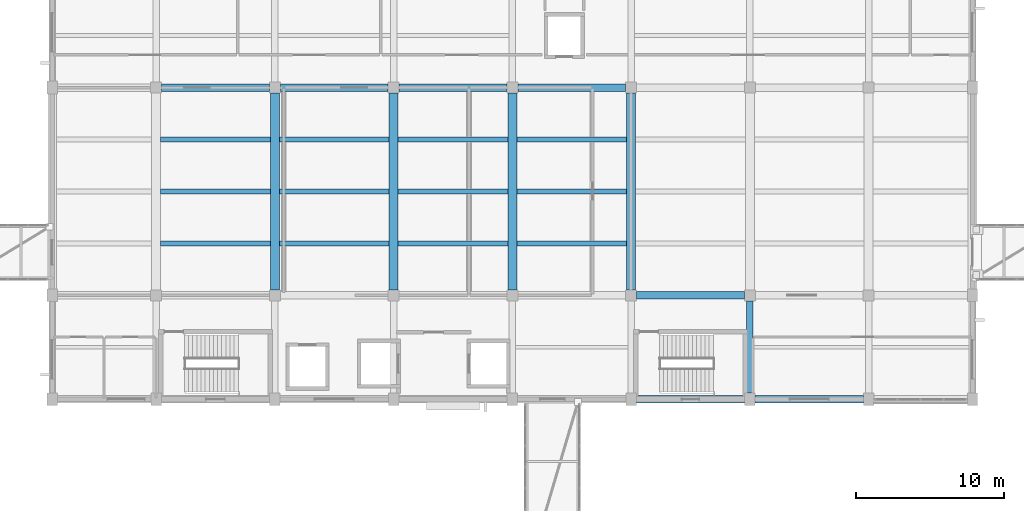
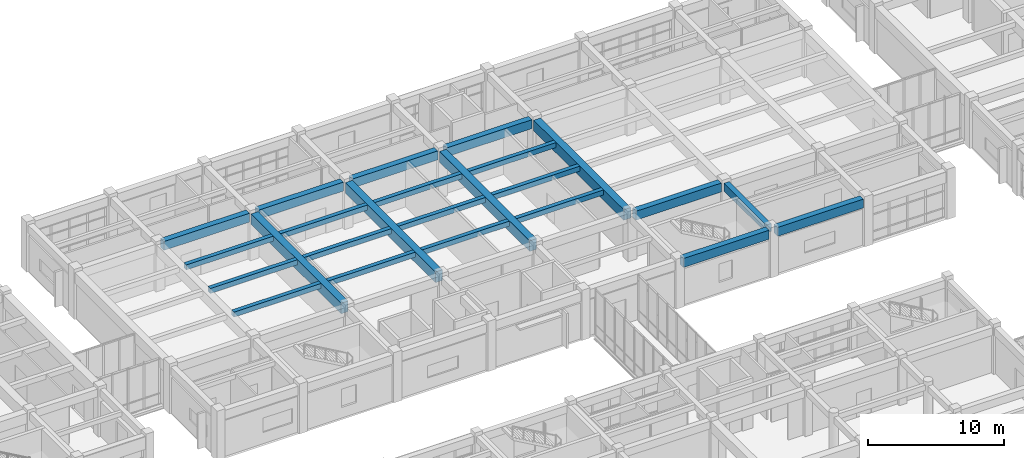
# One storey, part 25 of 70: 24 beams.
"""IFC4 building model written with IfcOpenShell, lengths in metres."""

from ifc_helpers import new_model, si_unit, direction, frame, origin, origin_2d, place, context, subcontext, project, spatial, rectangle, extrude, material, material_profile, profile_set, type_object, element, save


model = new_model("IFC4")

# Units and contexts
model_context = context("Model", 3, precision=1e-05, world=origin(), true_north=direction((0.0, 1.0)))
body_context = subcontext(model_context, "Body", "Model", "MODEL_VIEW")
ifc_project = project(units=[si_unit("LENGTHUNIT", "METRE"), si_unit("AREAUNIT", "SQUARE_METRE"), si_unit("VOLUMEUNIT", "CUBIC_METRE"), si_unit("PLANEANGLEUNIT", "RADIAN"), si_unit("MASSUNIT", "GRAM", prefix="KILO")], contexts=[model_context])

# Site, building, storey
site_placement = place(None, origin())
site = spatial("IfcSite", under=ifc_project, at=site_placement, CompositionType="ELEMENT")
building_placement = place(site_placement, origin())
building = spatial("IfcBuilding", under=site, at=building_placement, Name="Naurynzar Civic Courthouse", CompositionType="ELEMENT")
storey_placement = place(building_placement, frame((0.0, 0.0, 5.39990234375)))
storey = spatial("IfcBuildingStorey", under=building, at=storey_placement, Name="L02", CompositionType="ELEMENT", Elevation=5.39990234375)

# Beams
ifc_material_1 = material(Name="Concrete C40/50", Category="concrete")
ifc_material_profile_1 = material_profile(ifc_material_1, rectangle(XDim=0.60009765625, YDim=0.949951171875, at=origin_2d()), Name="PTB 600x950")
ifc_profile_set_1 = profile_set([ifc_material_profile_1], Name="Concrete C40/50")
beam_type_1 = type_object("IfcBeamType", Name="BM-PT-600x950", PredefinedType="T_BEAM", material=ifc_profile_set_1)
for number, where, z_axis, x_axis, name in (
    (1, (77.0, 51.375, 3.72509765625), (0.0, 1.0, 0.0), (-1.0, 0.0, 0.0), "V2 girder Y-506 L02"),
    (2, (85.0, 51.375, 3.72509765625), (0.0, 1.0, 0.0), (-1.0, 0.0, 0.0), "V2 girder Y-509 L02"),
    (3, (93.0, 51.375, 3.72509765625), (0.0, 1.0, 0.0), (-1.0, 0.0, 0.0), "V2 girder Y-512 L02"),
    (4, (101.0, 51.375, 3.72509765625), (0.0, 1.0, 0.0), (-1.0, 0.0, 0.0), "V2 girder Y-515 L02"),
):
    element("IfcBeam", number, at=place(storey_placement, frame(where, z_axis=z_axis, x_axis=x_axis)), inside=storey, type_object=beam_type_1, Name=name, PredefinedType="T_BEAM", context=body_context, shape_type="SweptSolid", body=[
        extrude(rectangle(XDim=0.60009765625, YDim=0.949951171875, at=origin_2d()), origin(), (0.0, 0.0, 1.0), 13.25),
    ])
ifc_material_2 = material(Name="Concrete C40/50", Category="concrete")
ifc_material_profile_2 = material_profile(ifc_material_2, rectangle(XDim=0.35009765625, YDim=0.449951171875, at=origin_2d()), Name="RCB 350x450")
ifc_profile_set_2 = profile_set([ifc_material_profile_2], Name="Concrete C40/50")
beam_type_2 = type_object("IfcBeamType", Name="BM-RC-350x450", PredefinedType="BEAM", material=ifc_profile_set_2)
for number, where, z_axis, x_axis, name in (
    (5, (69.300048828125, 54.5, 3.97509765625), (1.0, 0.0, 0.0), (0.0, 1.0, 0.0), "V2 secondary rib 533 L02"),
    (6, (69.300048828125, 58.0, 3.97509765625), (1.0, 0.0, 0.0), (0.0, 1.0, 0.0), "V2 secondary rib 534 L02"),
    (7, (69.300048828125, 61.5, 3.97509765625), (1.0, 0.0, 0.0), (0.0, 1.0, 0.0), "V2 secondary rib 535 L02"),
    (8, (77.300048828125, 54.5, 3.97509765625), (1.0, 0.0, 0.0), (0.0, 1.0, 0.0), "V2 secondary rib 536 L02"),
    (9, (77.300048828125, 58.0, 3.97509765625), (1.0, 0.0, 0.0), (0.0, 1.0, 0.0), "V2 secondary rib 537 L02"),
    (10, (77.300048828125, 61.5, 3.97509765625), (1.0, 0.0, 0.0), (0.0, 1.0, 0.0), "V2 secondary rib 538 L02"),
    (11, (85.300048828125, 54.5, 3.97509765625), (1.0, 0.0, 0.0), (0.0, 1.0, 0.0), "V2 secondary rib 539 L02"),
    (12, (85.300048828125, 58.0, 3.97509765625), (1.0, 0.0, 0.0), (0.0, 1.0, 0.0), "V2 secondary rib 540 L02"),
    (13, (85.300048828125, 61.5, 3.97509765625), (1.0, 0.0, 0.0), (0.0, 1.0, 0.0), "V2 secondary rib 541 L02"),
    (14, (93.300048828125, 54.5, 3.97509765625), (1.0, 0.0, 0.0), (0.0, 1.0, 0.0), "V2 secondary rib 542 L02"),
    (15, (93.300048828125, 58.0, 3.97509765625), (1.0, 0.0, 0.0), (0.0, 1.0, 0.0), "V2 secondary rib 543 L02"),
    (16, (93.300048828125, 61.5, 3.97509765625), (1.0, 0.0, 0.0), (0.0, 1.0, 0.0), "V2 secondary rib 544 L02"),
):
    element("IfcBeam", number, at=place(storey_placement, frame(where, z_axis=z_axis, x_axis=x_axis)), inside=storey, type_object=beam_type_2, Name=name, PredefinedType="BEAM", context=body_context, shape_type="SweptSolid", body=[
        extrude(rectangle(XDim=0.35009765625, YDim=0.449951171875, at=origin_2d()), origin(), (0.0, 0.0, 1.0), 7.39990234375),
    ])
ifc_material_3 = material(Name="Concrete C40/50", Category="concrete")
ifc_material_profile_3 = material_profile(ifc_material_3, rectangle(XDim=0.449951171875, YDim=0.699951171875, at=origin_2d()), Name="RCB 450x700")
ifc_profile_set_3 = profile_set([ifc_material_profile_3], Name="Concrete C40/50")
beam_type_3 = type_object("IfcBeamType", Name="BM-RC-450x700", PredefinedType="BEAM", material=ifc_profile_set_3)
beam_placement = place(storey_placement, frame((109.0, 44.425048828125, 3.85009765625), z_axis=(0.0, 1.0, 0.0), x_axis=(-1.0, 0.0, 0.0)))
element("IfcBeam", 17, at=beam_placement, inside=storey, type_object=beam_type_3, Name="V2 girder Y-517 L02", PredefinedType="BEAM", context=body_context, shape_type="SweptSolid", body=[
    extrude(rectangle(XDim=0.449951171875, YDim=0.699951171875, at=origin_2d()), origin(), (0.0, 0.0, 1.0), 6.199951171875),
])
ifc_material_4 = material(Name="Concrete C40/50", Category="concrete")
ifc_material_profile_4 = material_profile(ifc_material_4, rectangle(XDim=0.5, YDim=0.800048828125, at=origin_2d()), Name="RCB 500x800")
ifc_profile_set_4 = profile_set([ifc_material_profile_4], Name="Concrete C40/50")
beam_type_4 = type_object("IfcBeamType", Name="BM-RC-500x800", PredefinedType="BEAM", material=ifc_profile_set_4)
for number, where, z_axis, x_axis, name in (
    (18, (101.35009765625, 44.0, 3.800048828125), (1.0, 0.0, 0.0), (0.0, 1.0, 0.0), "V2 beam X-472 L02"),
    (19, (109.35009765625, 44.0, 3.800048828125), (1.0, 0.0, 0.0), (0.0, 1.0, 0.0), "V2 beam X-473 L02"),
):
    element("IfcBeam", number, at=place(storey_placement, frame(where, z_axis=z_axis, x_axis=x_axis)), inside=storey, type_object=beam_type_4, Name=name, PredefinedType="BEAM", context=body_context, shape_type="SweptSolid", body=[
        extrude(rectangle(XDim=0.5, YDim=0.800048828125, at=origin_2d()), origin(), (0.0, 0.0, 1.0), 7.2998046875),
    ])
for number, where, z_axis, x_axis, name in (
    (20, (101.375, 51.0, 3.800048828125), (1.0, 0.0, 0.0), (0.0, 1.0, 0.0), "V2 beam X-480 L02"),
    (21, (69.375, 65.0, 3.800048828125), (1.0, 0.0, 0.0), (0.0, 1.0, 0.0), "V2 beam X-484 L02"),
    (22, (77.375, 65.0, 3.800048828125), (1.0, 0.0, 0.0), (0.0, 1.0, 0.0), "V2 beam X-485 L02"),
    (23, (85.375, 65.0, 3.800048828125), (1.0, 0.0, 0.0), (0.0, 1.0, 0.0), "V2 beam X-486 L02"),
    (24, (93.375, 65.0, 3.800048828125), (1.0, 0.0, 0.0), (0.0, 1.0, 0.0), "V2 beam X-487 L02"),
):
    element("IfcBeam", number, at=place(storey_placement, frame(where, z_axis=z_axis, x_axis=x_axis)), inside=storey, type_object=beam_type_4, Name=name, PredefinedType="BEAM", context=body_context, shape_type="SweptSolid", body=[
        extrude(rectangle(XDim=0.5, YDim=0.800048828125, at=origin_2d()), origin(), (0.0, 0.0, 1.0), 7.25),
    ])

save(model, "model.ifc")
